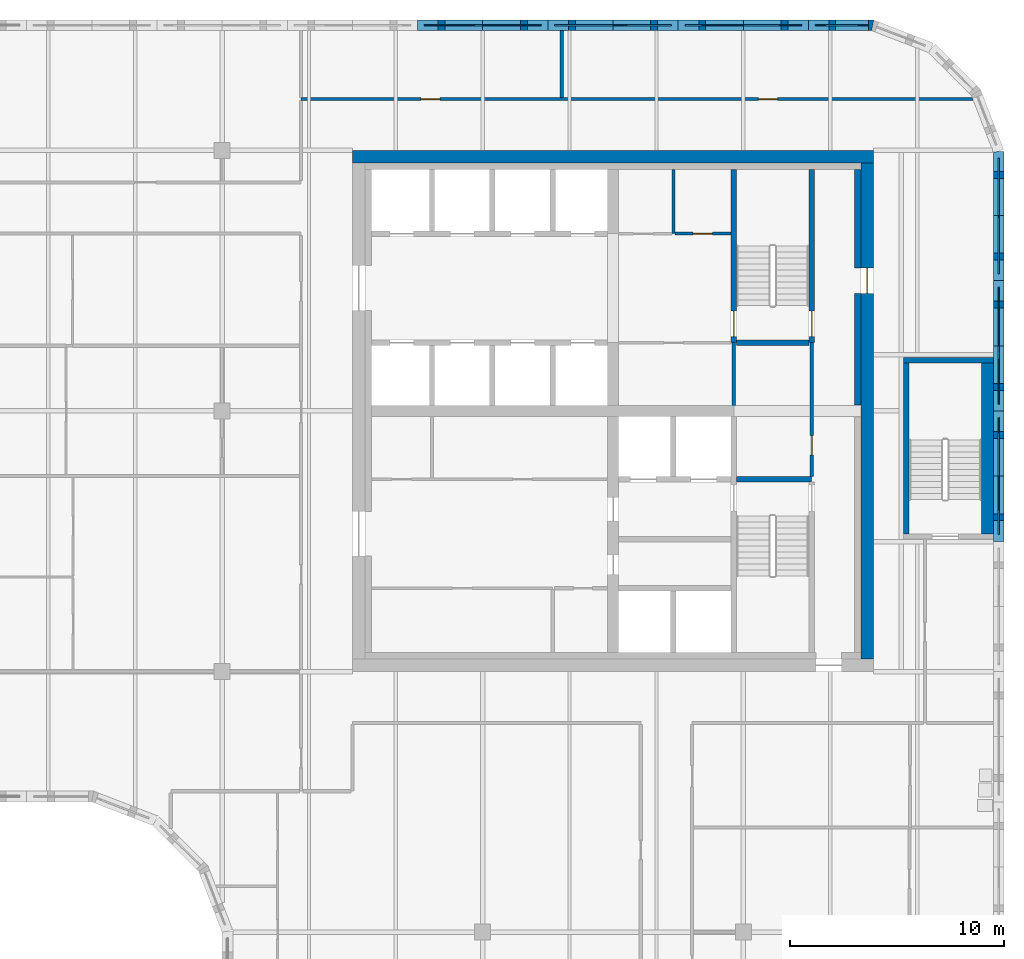
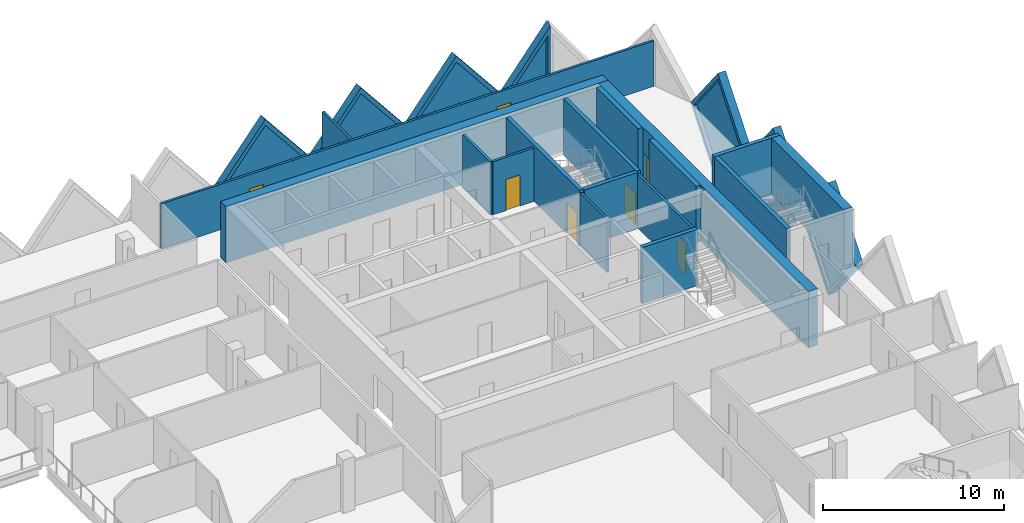
# One storey, part 9 of 12: 24 walls, 7 doors, 7 plates, 14 openings.
"""IFC4 building model written with IfcOpenShell, lengths in metres."""

from ifc_helpers import new_model, si_unit, direction, frame, frame_2d, origin, place, context, subcontext, project, spatial, polyline, rectangle, outline, extrude, faceted_brep, source, transform, mapped, material, layer, layer_set, type_object, element, fill, save


model = new_model("IFC4")

# Units and contexts
model_context = context("Model", 3, precision=1e-05, world=origin(), true_north=direction((0.0, 1.0)))
body_context = subcontext(model_context, "Body", "Model", "MODEL_VIEW")
ifc_project = project(units=[si_unit("LENGTHUNIT", "METRE"), si_unit("AREAUNIT", "SQUARE_METRE"), si_unit("VOLUMEUNIT", "CUBIC_METRE"), si_unit("PLANEANGLEUNIT", "RADIAN"), si_unit("MASSUNIT", "GRAM", prefix="KILO")], contexts=[model_context])

# Site, building, storey
site_placement = place(None, origin())
site = spatial("IfcSite", under=ifc_project, at=site_placement, CompositionType="ELEMENT")
building_placement = place(site_placement, origin())
building = spatial("IfcBuilding", under=site, at=building_placement, Name="Tessera Gate Towers", CompositionType="ELEMENT")
storey_placement = place(building_placement, frame((0.0, 0.0, 178.199951171875)))
storey = spatial("IfcBuildingStorey", under=building, at=storey_placement, Name="L44", CompositionType="ELEMENT", Elevation=178.199951171875)

# Wall
ifc_material_1 = material(Name="Concrete C40/50", Category="concrete")
ifc_layer_1 = layer(ifc_material_1, 0.25)
ifc_layer_set_1 = layer_set([ifc_layer_1], Name="CORE ENCLOSURE WALL 250")
wall_type_1 = type_object("IfcWallType", Name="CORE ENCLOSURE WALL 250", PredefinedType="SOLIDWALL", material=ifc_layer_set_1)
wall_1_placement = place(storey_placement, frame((48.47509765625, 33.39990234375, 0.0), z_axis=(0.0, 0.0, 1.0), x_axis=(1.0, 0.0, 0.0)))
element("IfcWall", 1, at=wall_1_placement, inside=storey, type_object=wall_type_1, Name="L44 shaft and stair enclosure wall", PredefinedType="SOLIDWALL", context=body_context, shape_type="SweptSolid", body=[
    extrude(rectangle(XDim=3.52490234375, YDim=0.25, at=frame_2d((1.762451171875, 0.0))), origin(), (0.0, 0.0, 1.0), 3.800048828125),
])

# Wall, opening, door
wall_2_placement = place(storey_placement, frame((48.35009765625, 47.89990234375, 0.0), z_axis=(0.0, 0.0, 1.0), x_axis=(0.0, -1.0, 0.0)))
wall_2 = element("IfcWall", 2, at=wall_2_placement, inside=storey, type_object=wall_type_1, Name="L44 shaft and stair enclosure wall", PredefinedType="SOLIDWALL", context=body_context, shape_type="SweptSolid", body=[
    extrude(rectangle(XDim=8.099853515625, YDim=0.25, at=frame_2d((4.0498046875, 0.0))), origin(), (0.0, 0.0, 1.0), 3.800048828125),
])
shared_shape_1 = source(origin(), body_context, "Body", "SweptSolid", [
    extrude(rectangle(XDim=1.199951171875, YDim=2.10009765625, at=frame_2d((0.60009765625, 1.050048828125))), frame((0.0, 0.135009765625, 0.0), z_axis=(0.0, -1.0, 0.0), x_axis=(1.0, 0.0, 0.0)), (0.0, 0.0, 1.0), 0.27001953125),
])
opening_1_placement = place(wall_2_placement, frame((6.625, 0.0, 0.0)))
opening_1 = element("IfcOpeningElement", 3, at=opening_1_placement, cuts=wall_2, Name="Opening SD-ST2-1", PredefinedType="OPENING", context=body_context, shape_type="MappedRepresentation", body=[
    mapped(shared_shape_1, transform((0.0, 0.0, 0.0), scale=1.0)),
])
ifc_material_2 = material(Name="Hollow steel fire door", Category="steel")
door_type_1 = type_object("IfcDoorType", Name="CORE DOOR SD 1200x2100", OperationType="NOTDEFINED", PredefinedType="DOOR", material=ifc_material_2)
shared_shape_2 = source(origin(), body_context, "Body", "SweptSolid", [
    extrude(rectangle(XDim=1.199951171875, YDim=2.10009765625, at=frame_2d((0.60009765625, 1.050048828125))), frame((0.0, 0.02490234375, 0.0), z_axis=(0.0, -1.0, 0.0), x_axis=(1.0, 0.0, 0.0)), (0.0, 0.0, 1.0), 0.050048828125),
])
door_1_placement = place(opening_1_placement, origin())
door_1 = element("IfcDoor", 4, at=door_1_placement, inside=storey, type_object=door_type_1, Name="Stair door", OperationType="SINGLE_SWING_RIGHT", OverallHeight=2.10009765625, OverallWidth=1.199951171875, PredefinedType="DOOR", context=body_context, shape_type="MappedRepresentation", body=[
    mapped(shared_shape_2, transform((0.0, 0.0, 0.0), scale=1.0)),
])
fill(opening_1, door_1)

wall_3_placement = place(storey_placement, frame((52.0, 39.800048828125, 0.0), z_axis=(0.0, 0.0, 1.0), x_axis=(0.0, 1.0, 0.0)))
wall_3 = element("IfcWall", 5, at=wall_3_placement, inside=storey, type_object=wall_type_1, Name="L44 shaft and stair enclosure wall", PredefinedType="SOLIDWALL", context=body_context, shape_type="SweptSolid", body=[
    extrude(rectangle(XDim=8.099853515625, YDim=0.25, at=frame_2d((4.0498046875, 0.0))), origin(), (0.0, 0.0, 1.0), 3.800048828125),
])
opening_2_placement = place(wall_3_placement, frame((0.27490234375, 0.0, 0.0)))
opening_2 = element("IfcOpeningElement", 6, at=opening_2_placement, cuts=wall_3, Name="Opening SD-ST2-2", PredefinedType="OPENING", context=body_context, shape_type="MappedRepresentation", body=[
    mapped(shared_shape_1, transform((0.0, 0.0, 0.0), scale=1.0)),
])
door_2_placement = place(opening_2_placement, origin())
door_2 = element("IfcDoor", 7, at=door_2_placement, inside=storey, type_object=door_type_1, Name="Stair door", OperationType="SINGLE_SWING_LEFT", OverallHeight=2.10009765625, OverallWidth=1.199951171875, PredefinedType="DOOR", context=body_context, shape_type="MappedRepresentation", body=[
    mapped(shared_shape_2, transform((0.0, 0.0, 0.0), scale=1.0)),
])
fill(opening_2, door_2)

# Walls
wall_4_placement = place(storey_placement, frame((48.47509765625, 39.800048828125, 0.0), z_axis=(0.0, 0.0, 1.0), x_axis=(1.0, 0.0, 0.0)))
element("IfcWall", 8, at=wall_4_placement, inside=storey, type_object=wall_type_1, Name="L44 shaft and stair enclosure wall", PredefinedType="SOLIDWALL", context=body_context, shape_type="SweptSolid", body=[
    extrude(rectangle(XDim=3.39990234375, YDim=0.25, at=frame_2d((1.699951171875, 0.0))), origin(), (0.0, 0.0, 1.0), 3.800048828125),
])
wall_5_placement = place(storey_placement, frame((56.425048828125, 30.85009765625, 0.0), z_axis=(0.0, 0.0, 1.0), x_axis=(0.0, 1.0, 0.0)))
element("IfcWall", 9, at=wall_5_placement, inside=storey, type_object=wall_type_1, Name="L44 ST5 enclosure wall", PredefinedType="SOLIDWALL", context=body_context, shape_type="SweptSolid", body=[
    extrude(rectangle(XDim=8.0, YDim=0.25, at=frame_2d((4.0, 0.0))), origin(), (0.0, 0.0, 1.0), 3.800048828125),
])
wall_6_placement = place(storey_placement, frame((56.300048828125, 38.97509765625, 0.0), z_axis=(0.0, 0.0, 1.0), x_axis=(1.0, 0.0, 0.0)))
element("IfcWall", 10, at=wall_6_placement, inside=storey, type_object=wall_type_1, Name="L44 ST5 enclosure wall", PredefinedType="SOLIDWALL", context=body_context, shape_type="SweptSolid", body=[
    extrude(rectangle(XDim=4.199951171875, YDim=0.25, at=frame_2d((2.10009765625, 0.0))), origin(), (0.0, 0.0, 1.0), 3.800048828125),
])
ifc_material_3 = material(Name="Concrete C40/50", Category="concrete")
ifc_layer_2 = layer(ifc_material_3, 0.550048828125)
ifc_layer_set_2 = layer_set([ifc_layer_2], Name="CORE ENCLOSURE WALL 550")
wall_type_2 = type_object("IfcWallType", Name="CORE ENCLOSURE WALL 550", PredefinedType="SOLIDWALL", material=ifc_layer_set_2)
wall_7_placement = place(storey_placement, frame((60.22509765625, 38.85009765625, 0.0), z_axis=(0.0, 0.0, 1.0), x_axis=(0.0, -1.0, 0.0)))
element("IfcWall", 11, at=wall_7_placement, inside=storey, type_object=wall_type_2, Name="L44 ST5 enclosure wall", PredefinedType="SOLIDWALL", context=body_context, shape_type="SweptSolid", body=[
    extrude(rectangle(XDim=8.0, YDim=0.550048828125, at=frame_2d((4.0, 0.0))), origin(), (0.0, 0.0, 1.0), 3.800048828125),
])
ifc_material_4 = material(Name="Concrete C50/60", Category="concrete")
ifc_layer_3 = layer(ifc_material_4, 0.60009765625)
ifc_layer_set_3 = layer_set([ifc_layer_3], Name="CORE SHEAR WALL 600 C50/60")
wall_type_3 = type_object("IfcWallType", Name="CORE SHEAR WALL 600 C50/60", PredefinedType="SHEAR", material=ifc_layer_set_3)
wall_8_placement = place(storey_placement, frame((30.5, 48.5, 0.0), z_axis=(0.0, 0.0, 1.0), x_axis=(1.0, 0.0, 0.0)))
element("IfcWall", 12, at=wall_8_placement, inside=storey, type_object=wall_type_3, Name="Core wall N L44", PredefinedType="SHEAR", context=body_context, shape_type="SweptSolid", body=[
    extrude(rectangle(XDim=24.39990234375, YDim=0.60009765625, at=frame_2d((12.199951171875, 0.0))), origin(), (0.0, 0.0, 1.0), 3.800048828125),
])

# Wall, opening, door
wall_9_placement = place(storey_placement, frame((54.60009765625, 48.199951171875, 0.0), z_axis=(0.0, 0.0, 1.0), x_axis=(0.0, -1.0, 0.0)))
wall_9 = element("IfcWall", 13, at=wall_9_placement, inside=storey, type_object=wall_type_3, Name="Core wall E L44", PredefinedType="SHEAR", context=body_context, shape_type="SweptSolid", body=[
    extrude(rectangle(XDim=23.199951171875, YDim=0.60009765625, at=frame_2d((11.60009765625, 0.0))), origin(), (0.0, 0.0, 1.0), 3.800048828125),
])
shared_shape_3 = source(origin(), body_context, "Body", "SweptSolid", [
    extrude(rectangle(XDim=1.199951171875, YDim=2.10009765625, at=frame_2d((0.60009765625, 1.050048828125))), frame((0.0, 0.31005859375, 0.0), z_axis=(0.0, -1.0, 0.0), x_axis=(1.0, 0.0, 0.0)), (0.0, 0.0, 1.0), 0.6201171875),
])
opening_3_placement = place(wall_9_placement, frame((4.89990234375, 0.0, 0.0)))
opening_3 = element("IfcOpeningElement", 14, at=opening_3_placement, cuts=wall_9, Name="Opening ED-T1-28-04", PredefinedType="OPENING", context=body_context, shape_type="MappedRepresentation", body=[
    mapped(shared_shape_3, transform((0.0, 0.0, 0.0), scale=1.0)),
])
ifc_material_5 = material(Name="Hollow steel fire door", Category="steel")
door_type_2 = type_object("IfcDoorType", Name="CORE DOOR ED 1200x2100", OperationType="NOTDEFINED", PredefinedType="DOOR", material=ifc_material_5)
door_3_placement = place(opening_3_placement, origin())
door_3 = element("IfcDoor", 15, at=door_3_placement, inside=storey, type_object=door_type_2, Name="Core exit door", OperationType="SINGLE_SWING_LEFT", OverallHeight=2.10009765625, OverallWidth=1.199951171875, PredefinedType="DOOR", context=body_context, shape_type="MappedRepresentation", body=[
    mapped(shared_shape_2, transform((0.0, 0.0, 0.0), scale=1.0)),
])
fill(opening_3, door_3)

# Walls
ifc_material_6 = material(Name="Concrete C50/60", Category="concrete")
ifc_layer_4 = layer(ifc_material_6, 0.300048828125)
ifc_layer_set_4 = layer_set([ifc_layer_4], Name="CORE WALL THICKENING 300")
wall_type_4 = type_object("IfcWallType", Name="CORE WALL THICKENING 300", PredefinedType="SOLIDWALL", material=ifc_layer_set_4)
wall_10_placement = place(storey_placement, frame((54.14990234375, 36.8798828125, 0.0), z_axis=(0.0, 0.0, 1.0), x_axis=(0.0, 1.0, 0.0)))
element("IfcWall", 16, at=wall_10_placement, inside=storey, type_object=wall_type_4, Name="Core wall thickening E L44", PredefinedType="SOLIDWALL", context=body_context, shape_type="SweptSolid", body=[
    extrude(rectangle(XDim=5.22021484375, YDim=0.300048828125, at=frame_2d((2.610107421875, 0.0))), origin(), (0.0, 0.0, 1.0), 3.800048828125),
])
wall_11_placement = place(storey_placement, frame((54.14990234375, 43.300048828125, 0.0), z_axis=(0.0, 0.0, 1.0), x_axis=(0.0, 1.0, 0.0)))
element("IfcWall", 17, at=wall_11_placement, inside=storey, type_object=wall_type_4, Name="Core wall thickening E L44", PredefinedType="SOLIDWALL", context=body_context, shape_type="SweptSolid", body=[
    extrude(rectangle(XDim=4.599853515625, YDim=0.300048828125, at=frame_2d((2.2998046875, 0.0))), origin(), (0.0, 0.0, 1.0), 3.800048828125),
])

# Wall, openings, doors
ifc_material_7 = material(Name="Gypsum board on steel studs, mineral wool", Category="steel")
ifc_layer_5 = layer(ifc_material_7, 0.14990234375)
ifc_layer_set_5 = layer_set([ifc_layer_5], Name="CORRIDOR WALL 150")
wall_type_5 = type_object("IfcWallType", Name="CORRIDOR WALL 150", PredefinedType="PARTITIONING", material=ifc_layer_set_5)
wall_12_placement = place(storey_placement, frame((28.10009765625, 51.199951171875, 0.0), z_axis=(0.0, 0.0, 1.0), x_axis=(1.0, 0.0, 0.0)))
wall_12 = element("IfcWall", 18, at=wall_12_placement, inside=storey, type_object=wall_type_5, Name="T1-L44-PW-049", PredefinedType="PARTITIONING", context=body_context, shape_type="SweptSolid", body=[
    extrude(rectangle(XDim=31.438232421875, YDim=0.14990234375, at=frame_2d((15.71923828125, 0.0))), origin(), (0.0, 0.0, 1.0), 3.067138671875),
])
shared_shape_4 = source(origin(), body_context, "Body", "SweptSolid", [
    extrude(rectangle(XDim=0.89990234375, YDim=2.10009765625, at=frame_2d((0.449951171875, 1.050048828125))), frame((0.0, 0.0849609375, 0.0), z_axis=(0.0, -1.0, 0.0), x_axis=(1.0, 0.0, 0.0)), (0.0, 0.0, 1.0), 0.169921875),
])
opening_4_placement = place(wall_12_placement, frame((5.60009765625, 0.0, 0.0)))
opening_4 = element("IfcOpeningElement", 19, at=opening_4_placement, cuts=wall_12, Name="Opening D890FD60-A16-07", PredefinedType="OPENING", context=body_context, shape_type="MappedRepresentation", body=[
    mapped(shared_shape_4, transform((0.0, 0.0, 0.0), scale=1.0)),
])
opening_5_placement = place(wall_12_placement, frame((21.39990234375, 0.0, 0.0)))
opening_5 = element("IfcOpeningElement", 20, at=opening_5_placement, cuts=wall_12, Name="Opening D890FD60-A16-08", PredefinedType="OPENING", context=body_context, shape_type="MappedRepresentation", body=[
    mapped(shared_shape_4, transform((0.0, 0.0, 0.0), scale=1.0)),
])
ifc_material_8 = material(Name="Timber door leaf in steel frame", Category="steel")
door_type_3 = type_object("IfcDoorType", Name="CORRIDOR DOOR 900 FD60", OperationType="NOTDEFINED", PredefinedType="DOOR", material=ifc_material_8)
shared_shape_5 = source(origin(), body_context, "Body", "SweptSolid", [
    extrude(rectangle(XDim=0.89990234375, YDim=2.10009765625, at=frame_2d((0.449951171875, 1.050048828125))), frame((0.0, 0.02490234375, 0.0), z_axis=(0.0, -1.0, 0.0), x_axis=(1.0, 0.0, 0.0)), (0.0, 0.0, 1.0), 0.050048828125),
])
door_4_placement = place(opening_4_placement, origin())
door_4 = element("IfcDoor", 21, at=door_4_placement, inside=storey, type_object=door_type_3, Name="T1-L44-PD-024", OperationType="SINGLE_SWING_LEFT", OverallHeight=2.10009765625, OverallWidth=0.89990234375, PredefinedType="DOOR", context=body_context, shape_type="MappedRepresentation", body=[
    mapped(shared_shape_5, transform((0.0, 0.0, 0.0), scale=1.0)),
])
fill(opening_4, door_4)
door_5_placement = place(opening_5_placement, origin())
door_5 = element("IfcDoor", 22, at=door_5_placement, inside=storey, type_object=door_type_3, Name="T1-L44-PD-027", OperationType="SINGLE_SWING_LEFT", OverallHeight=2.10009765625, OverallWidth=0.89990234375, PredefinedType="DOOR", context=body_context, shape_type="MappedRepresentation", body=[
    mapped(shared_shape_5, transform((0.0, 0.0, 0.0), scale=1.0)),
])
fill(opening_5, door_5)

# Wall, opening, door
ifc_material_9 = material(Name="Gypsum board on steel studs", Category="steel")
ifc_layer_6 = layer(ifc_material_9, 0.14990234375)
ifc_layer_set_6 = layer_set([ifc_layer_6], Name="SERVICE ROOM WALL 150")
wall_type_6 = type_object("IfcWallType", Name="SERVICE ROOM WALL 150", PredefinedType="PARTITIONING", material=ifc_layer_set_6)
wall_13_placement = place(storey_placement, frame((52.0, 33.52490234375, 0.0), z_axis=(0.0, 0.0, 1.0), x_axis=(0.0, 1.0, 0.0)))
wall_13 = element("IfcWall", 23, at=wall_13_placement, inside=storey, type_object=wall_type_6, Name="L44 service room wall", PredefinedType="PARTITIONING", context=body_context, shape_type="SweptSolid", body=[
    extrude(rectangle(XDim=6.275146484375, YDim=0.14990234375, at=frame_2d((3.1376953125, 0.0))), origin(), (0.0, 0.0, 1.0), 3.60009765625),
])
opening_6_placement = place(wall_13_placement, frame((1.02490234375, 0.0, 0.0)))
opening_6 = element("IfcOpeningElement", 24, at=opening_6_placement, cuts=wall_13, Name="Opening RD-T1-28-10", PredefinedType="OPENING", context=body_context, shape_type="MappedRepresentation", body=[
    mapped(shared_shape_4, transform((0.0, 0.0, 0.0), scale=1.0)),
])
ifc_material_10 = material(Name="Hollow steel fire door", Category="steel")
door_type_4 = type_object("IfcDoorType", Name="CORE DOOR RD 900x2100", OperationType="NOTDEFINED", PredefinedType="DOOR", material=ifc_material_10)
door_6_placement = place(opening_6_placement, origin())
door_6 = element("IfcDoor", 25, at=door_6_placement, inside=storey, type_object=door_type_4, Name="Core room door", OperationType="SINGLE_SWING_LEFT", OverallHeight=2.10009765625, OverallWidth=0.89990234375, PredefinedType="DOOR", context=body_context, shape_type="MappedRepresentation", body=[
    mapped(shared_shape_5, transform((0.0, 0.0, 0.0), scale=1.0)),
])
fill(opening_6, door_6)

# Walls
wall_14_placement = place(storey_placement, frame((48.35009765625, 36.85009765625, 0.0), z_axis=(0.0, 0.0, 1.0), x_axis=(0.0, 1.0, 0.0)))
element("IfcWall", 26, at=wall_14_placement, inside=storey, type_object=wall_type_6, Name="L44 service room wall", PredefinedType="PARTITIONING", context=body_context, shape_type="SweptSolid", body=[
    extrude(rectangle(XDim=2.949951171875, YDim=0.14990234375, at=frame_2d((1.47509765625, 0.0))), origin(), (0.0, 0.0, 1.0), 3.60009765625),
])
wall_15_placement = place(storey_placement, frame((45.52490234375, 44.89990234375, 0.0), z_axis=(0.0, 0.0, 1.0), x_axis=(0.0, 1.0, 0.0)))
element("IfcWall", 27, at=wall_15_placement, inside=storey, type_object=wall_type_6, Name="L44 service room wall", PredefinedType="PARTITIONING", context=body_context, shape_type="SweptSolid", body=[
    extrude(rectangle(XDim=3.0, YDim=0.14990234375, at=frame_2d((1.5, 0.0))), origin(), (0.0, 0.0, 1.0), 3.60009765625),
])

# Wall, opening, door
wall_16_placement = place(storey_placement, frame((45.60009765625, 44.89990234375, 0.0), z_axis=(0.0, 0.0, 1.0), x_axis=(1.0, 0.0, 0.0)))
wall_16 = element("IfcWall", 28, at=wall_16_placement, inside=storey, type_object=wall_type_6, Name="L44 service room wall", PredefinedType="PARTITIONING", context=body_context, shape_type="SweptSolid", body=[
    extrude(rectangle(XDim=2.625, YDim=0.14990234375, at=frame_2d((1.3125, 0.0))), origin(), (0.0, 0.0, 1.0), 3.60009765625),
])
opening_7_placement = place(wall_16_placement, frame((0.85009765625, 0.0, 0.0)))
opening_7 = element("IfcOpeningElement", 29, at=opening_7_placement, cuts=wall_16, Name="Opening RD-T1-28-13", PredefinedType="OPENING", context=body_context, shape_type="MappedRepresentation", body=[
    mapped(shared_shape_4, transform((0.0, 0.0, 0.0), scale=1.0)),
])
door_7_placement = place(opening_7_placement, origin())
door_7 = element("IfcDoor", 30, at=door_7_placement, inside=storey, type_object=door_type_4, Name="Core room door", OperationType="SINGLE_SWING_LEFT", OverallHeight=2.10009765625, OverallWidth=0.89990234375, PredefinedType="DOOR", context=body_context, shape_type="MappedRepresentation", body=[
    mapped(shared_shape_5, transform((0.0, 0.0, 0.0), scale=1.0)),
])
fill(opening_7, door_7)

# Wall
ifc_material_11 = material(Name="Gypsum board on steel studs, mineral wool", Category="steel")
ifc_layer_7 = layer(ifc_material_11, 0.14990234375)
ifc_layer_set_7 = layer_set([ifc_layer_7], Name="TENANCY WALL 150")
wall_type_7 = type_object("IfcWallType", Name="TENANCY WALL 150", PredefinedType="PARTITIONING", material=ifc_layer_set_7)
wall_17_placement = place(storey_placement, frame((40.300048828125, 51.27587890625, 0.0), z_axis=(0.0, 0.0, 1.0), x_axis=(0.0, 1.0, 0.0)))
element("IfcWall", 31, at=wall_17_placement, inside=storey, type_object=wall_type_7, Name="T1-L44-PW-051", PredefinedType="PARTITIONING", context=body_context, shape_type="SweptSolid", body=[
    extrude(rectangle(XDim=3.1240234375, YDim=0.14990234375, at=frame_2d((1.56201171875, 0.0))), origin(), (0.0, 0.0, 1.0), 3.067138671875),
])

# Wall, opening, plate
ifc_material_12 = material(Name="Precast concrete C60/75 white", Category="concrete")
ifc_layer_8 = layer(ifc_material_12, 0.5)
ifc_layer_set_8 = layer_set([ifc_layer_8], Name="TS1 tessera")
wall_type_8 = type_object("IfcWallType", Name="TS1 tessera", PredefinedType="SOLIDWALL", material=ifc_layer_set_8)
shared_shape_6 = source(origin(), body_context, "Body", "Brep", [
    faceted_brep([(3.050048828125, -0.25, 0.0), (6.099853515625, -0.25, 3.7998046875), (6.099853515625, -0.25, 3.80029296875), (3.050048828125, -0.25, 7.60009765625), (0.0, -0.25, 3.800048828125), (0.0, 0.25, 3.800048828125), (3.050048828125, 0.25, 7.60009765625), (6.099853515625, 0.25, 3.80029296875), (6.099853515625, 0.25, 3.7998046875), (3.050048828125, 0.25, 0.0)], [[[0, 1, 2, 3, 4]], [[5, 6, 7, 8, 9]], [[9, 8, 1, 0]], [[7, 6, 3, 2]], [[6, 5, 4, 3]], [[5, 9, 0, 4]], [[1, 8, 7, 2]]]),
])
wall_18_placement = place(storey_placement, frame((60.75, 36.60009765625, -3.800048828125), z_axis=(0.0, 0.0, 1.0), x_axis=(0.0, 1.0, 0.0)))
wall_18 = element("IfcWall", 32, at=wall_18_placement, inside=storey, type_object=wall_type_8, Name="Precast tessera T1 TS1-0767", PredefinedType="SOLIDWALL", context=body_context, shape_type="MappedRepresentation", body=[
    mapped(shared_shape_6, transform((0.0, 0.0, 0.0), scale=1.0)),
])
shared_shape_7 = source(origin(), body_context, "Body", "SweptSolid", [
    extrude(outline(polyline([(3.050048828125, 0.3994140625), (5.779541015625, 3.800048828125), (3.050048828125, 7.20068359375), (0.320556640625, 3.800048828125), (3.050048828125, 0.3994140625)])), frame((0.0, 0.260009765625, 0.0), z_axis=(0.0, -1.0, 0.0), x_axis=(1.0, 0.0, 0.0)), (0.0, 0.0, 1.0), 0.52001953125),
])
opening_8_placement = place(wall_18_placement, origin())
opening_8 = element("IfcOpeningElement", 33, at=opening_8_placement, cuts=wall_18, Name="Opening T1-PL2-1565", PredefinedType="OPENING", context=body_context, shape_type="MappedRepresentation", body=[
    mapped(shared_shape_7, transform((0.0, 0.0, 0.0), scale=1.0)),
])
ifc_material_13 = material(Name="Low-e laminated glass", Category="glass")
ifc_layer_9 = layer(ifc_material_13, 0.06005859375)
ifc_layer_set_9 = layer_set([ifc_layer_9], Name="PL2 rhombic pane")
plate_type = type_object("IfcPlateType", Name="PL2 rhombic pane", PredefinedType="SHEET", material=ifc_layer_set_9)
shared_shape_8 = source(origin(), body_context, "Body", "SweptSolid", [
    extrude(outline(polyline([(3.050048828125, 0.3994140625), (5.779541015625, 3.800048828125), (3.050048828125, 7.20068359375), (0.320556640625, 3.800048828125), (3.050048828125, 0.3994140625)])), frame((0.0, 0.030029296875, 0.0), z_axis=(0.0, -1.0, 0.0), x_axis=(1.0, 0.0, 0.0)), (0.0, 0.0, 1.0), 0.06005859375),
])
plate_1_placement = place(opening_8_placement, origin())
plate_1 = element("IfcPlate", 34, at=plate_1_placement, inside=storey, type_object=plate_type, Name="Glass pane T1 PL2-1565", PredefinedType="SHEET", context=body_context, shape_type="MappedRepresentation", body=[
    mapped(shared_shape_8, transform((0.0, 0.0, 0.0), scale=1.0)),
])
fill(opening_8, plate_1)

wall_19_placement = place(storey_placement, frame((39.64990234375, 54.64990234375, -3.800048828125), z_axis=(0.0, 0.0, 1.0), x_axis=(-1.0, 0.0, 0.0)))
wall_19 = element("IfcWall", 35, at=wall_19_placement, inside=storey, type_object=wall_type_8, Name="Precast tessera T1 TS1-0771", PredefinedType="SOLIDWALL", context=body_context, shape_type="MappedRepresentation", body=[
    mapped(shared_shape_6, transform((0.0, 0.0, 0.0), scale=1.0)),
])
opening_9_placement = place(wall_19_placement, origin())
opening_9 = element("IfcOpeningElement", 36, at=opening_9_placement, cuts=wall_19, Name="Opening T1-PL2-1573", PredefinedType="OPENING", context=body_context, shape_type="MappedRepresentation", body=[
    mapped(shared_shape_7, transform((0.0, 0.0, 0.0), scale=1.0)),
])
plate_2_placement = place(opening_9_placement, origin())
plate_2 = element("IfcPlate", 37, at=plate_2_placement, inside=storey, type_object=plate_type, Name="Glass pane T1 PL2-1573", PredefinedType="SHEET", context=body_context, shape_type="MappedRepresentation", body=[
    mapped(shared_shape_8, transform((0.0, 0.0, 0.0), scale=1.0)),
])
fill(opening_9, plate_2)

shared_shape_9 = source(origin(), body_context, "Body", "SweptSolid", [
    extrude(outline(polyline([(3.050048828125, 0.0), (6.10009765625, 3.800048828125), (3.050048828125, 7.60009765625), (0.0, 3.800048828125), (3.050048828125, 0.0)])), frame((0.0, 0.25, 0.0), z_axis=(0.0, -1.0, 0.0), x_axis=(1.0, 0.0, 0.0)), (0.0, 0.0, 1.0), 0.5),
])
wall_20_placement = place(storey_placement, frame((60.75, 30.5, -3.800048828125), z_axis=(0.0, 0.0, 1.0), x_axis=(0.0, 1.0, 0.0)))
wall_20 = element("IfcWall", 38, at=wall_20_placement, inside=storey, type_object=wall_type_8, Name="Precast tessera T1 TS1-0766", PredefinedType="SOLIDWALL", context=body_context, shape_type="MappedRepresentation", body=[
    mapped(shared_shape_9, transform((0.0, 0.0, 0.0), scale=1.0)),
])
opening_10_placement = place(wall_20_placement, origin())
opening_10 = element("IfcOpeningElement", 39, at=opening_10_placement, cuts=wall_20, Name="Opening T1-PL2-1564", PredefinedType="OPENING", context=body_context, shape_type="MappedRepresentation", body=[
    mapped(shared_shape_7, transform((0.0, 0.0, 0.0), scale=1.0)),
])
plate_3_placement = place(opening_10_placement, origin())
plate_3 = element("IfcPlate", 40, at=plate_3_placement, inside=storey, type_object=plate_type, Name="Glass pane T1 PL2-1564", PredefinedType="SHEET", context=body_context, shape_type="MappedRepresentation", body=[
    mapped(shared_shape_8, transform((0.0, 0.0, 0.0), scale=1.0)),
])
fill(opening_10, plate_3)

wall_21_placement = place(storey_placement, frame((51.85009765625, 54.64990234375, -3.800048828125), z_axis=(0.0, 0.0, 1.0), x_axis=(-1.0, 0.0, 0.0)))
wall_21 = element("IfcWall", 41, at=wall_21_placement, inside=storey, type_object=wall_type_8, Name="Precast tessera T1 TS1-0769", PredefinedType="SOLIDWALL", context=body_context, shape_type="MappedRepresentation", body=[
    mapped(shared_shape_9, transform((0.0, 0.0, 0.0), scale=1.0)),
])
opening_11_placement = place(wall_21_placement, origin())
opening_11 = element("IfcOpeningElement", 42, at=opening_11_placement, cuts=wall_21, Name="Opening T1-PL2-1571", PredefinedType="OPENING", context=body_context, shape_type="MappedRepresentation", body=[
    mapped(shared_shape_7, transform((0.0, 0.0, 0.0), scale=1.0)),
])
plate_4_placement = place(opening_11_placement, origin())
plate_4 = element("IfcPlate", 43, at=plate_4_placement, inside=storey, type_object=plate_type, Name="Glass pane T1 PL2-1571", PredefinedType="SHEET", context=body_context, shape_type="MappedRepresentation", body=[
    mapped(shared_shape_8, transform((0.0, 0.0, 0.0), scale=1.0)),
])
fill(opening_11, plate_4)

wall_22_placement = place(storey_placement, frame((45.75, 54.64990234375, -3.800048828125), z_axis=(0.0, 0.0, 1.0), x_axis=(-1.0, 0.0, 0.0)))
wall_22 = element("IfcWall", 44, at=wall_22_placement, inside=storey, type_object=wall_type_8, Name="Precast tessera T1 TS1-0770", PredefinedType="SOLIDWALL", context=body_context, shape_type="MappedRepresentation", body=[
    mapped(shared_shape_9, transform((0.0, 0.0, 0.0), scale=1.0)),
])
opening_12_placement = place(wall_22_placement, origin())
opening_12 = element("IfcOpeningElement", 45, at=opening_12_placement, cuts=wall_22, Name="Opening T1-PL2-1572", PredefinedType="OPENING", context=body_context, shape_type="MappedRepresentation", body=[
    mapped(shared_shape_7, transform((0.0, 0.0, 0.0), scale=1.0)),
])
plate_5_placement = place(opening_12_placement, origin())
plate_5 = element("IfcPlate", 46, at=plate_5_placement, inside=storey, type_object=plate_type, Name="Glass pane T1 PL2-1572", PredefinedType="SHEET", context=body_context, shape_type="MappedRepresentation", body=[
    mapped(shared_shape_8, transform((0.0, 0.0, 0.0), scale=1.0)),
])
fill(opening_12, plate_5)

shared_shape_10 = source(origin(), body_context, "Body", "Brep", [
    faceted_brep([(3.050048828125, -0.25, 0.0), (6.053466796875, -0.25, 3.800048828125), (3.050048828125, -0.25, 7.60009765625), (0.0, -0.25, 3.800048828125), (0.0, 0.25, 3.800048828125), (3.050048828125, 0.25, 7.60009765625), (6.0068359375, 0.25, 3.85888671875), (6.0068359375, 0.25, 3.7412109375), (3.050048828125, 0.25, 0.0), (6.053466796875, 0.0, 3.800048828125)], [[[0, 1, 2, 3]], [[4, 5, 6, 7, 8]], [[8, 7, 9, 1, 0]], [[6, 5, 2, 1, 9]], [[5, 4, 3, 2]], [[4, 8, 0, 3]], [[9, 7, 6]]]),
])
wall_23_placement = place(storey_placement, frame((60.75, 42.699951171875, -3.800048828125), z_axis=(0.0, 0.0, 1.0), x_axis=(0.0, 1.0, 0.0)))
wall_23 = element("IfcWall", 47, at=wall_23_placement, inside=storey, type_object=wall_type_8, Name="Precast tessera T1 TS1-0768", PredefinedType="SOLIDWALL", context=body_context, shape_type="MappedRepresentation", body=[
    mapped(shared_shape_10, transform((0.0, 0.0, 0.0), scale=1.0)),
])
shared_shape_11 = source(origin(), body_context, "Body", "SweptSolid", [
    extrude(outline(polyline([(3.048583984375, 0.4013671875), (5.73486328125, 3.800048828125), (3.048583984375, 7.19873046875), (0.320556640625, 3.800048828125), (3.048583984375, 0.4013671875)])), frame((0.0, 0.260009765625, 0.0), z_axis=(0.0, -1.0, 0.0), x_axis=(1.0, 0.0, 0.0)), (0.0, 0.0, 1.0), 0.52001953125),
])
opening_13_placement = place(wall_23_placement, origin())
opening_13 = element("IfcOpeningElement", 48, at=opening_13_placement, cuts=wall_23, Name="Opening T1-PL2-1566", PredefinedType="OPENING", context=body_context, shape_type="MappedRepresentation", body=[
    mapped(shared_shape_11, transform((0.0, 0.0, 0.0), scale=1.0)),
])
shared_shape_12 = source(origin(), body_context, "Body", "SweptSolid", [
    extrude(outline(polyline([(3.048583984375, 0.4013671875), (5.73486328125, 3.800048828125), (3.048583984375, 7.19873046875), (0.320556640625, 3.800048828125), (3.048583984375, 0.4013671875)])), frame((0.0, 0.030029296875, 0.0), z_axis=(0.0, -1.0, 0.0), x_axis=(1.0, 0.0, 0.0)), (0.0, 0.0, 1.0), 0.06005859375),
])
plate_6_placement = place(opening_13_placement, origin())
plate_6 = element("IfcPlate", 49, at=plate_6_placement, inside=storey, type_object=plate_type, Name="Glass pane T1 PL2-1566", PredefinedType="SHEET", context=body_context, shape_type="MappedRepresentation", body=[
    mapped(shared_shape_12, transform((0.0, 0.0, 0.0), scale=1.0)),
])
fill(opening_13, plate_6)

ifc_material_14 = material(Name="Precast concrete C60/75 white", Category="concrete")
ifc_layer_10 = layer(ifc_material_14, 0.5)
ifc_layer_set_10 = layer_set([ifc_layer_10], Name="TS3 corner tessera")
wall_type_9 = type_object("IfcWallType", Name="TS3 corner tessera", PredefinedType="SOLIDWALL", material=ifc_layer_set_10)
shared_shape_13 = source(origin(), body_context, "Body", "Brep", [
    faceted_brep([(0.046630859375, -0.25, 0.0), (3.050048828125, -0.25, 3.800048828125), (0.046630859375, -0.25, 7.60009765625), (0.0, -0.25, 7.5400390625), (0.0, -0.25, 0.06005859375), (0.09326171875, 0.25, 7.541259765625), (3.050048828125, 0.25, 3.800048828125), (0.09326171875, 0.25, 0.058837890625), (0.046630859375, 0.0, 0.0), (0.046630859375, 0.0, 7.60009765625)], [[[0, 1, 2, 3, 4]], [[5, 6, 7]], [[7, 6, 1, 0, 8]], [[6, 5, 9, 2, 1]], [[3, 2, 9]], [[8, 0, 4]], [[7, 8, 4, 3, 9, 5]]]),
])
wall_24_placement = place(storey_placement, frame((54.900146484375, 54.64990234375, -3.800048828125), z_axis=(0.0, 0.0, 1.0), x_axis=(-1.0, 0.0, 0.0)))
wall_24 = element("IfcWall", 50, at=wall_24_placement, inside=storey, type_object=wall_type_9, Name="Precast corner tessera T1 TS3-1018", PredefinedType="SOLIDWALL", context=body_context, shape_type="MappedRepresentation", body=[
    mapped(shared_shape_13, transform((0.0, 0.0, 0.0), scale=1.0)),
])
shared_shape_14 = source(origin(), body_context, "Body", "SweptSolid", [
    extrude(outline(polyline([(0.24658203125, 0.65625), (2.7314453125, 3.800048828125), (0.24658203125, 6.94384765625), (0.24658203125, 0.65625)])), frame((0.0, 0.260009765625, 0.0), z_axis=(0.0, -1.0, 0.0), x_axis=(1.0, 0.0, 0.0)), (0.0, 0.0, 1.0), 0.52001953125),
])
opening_14_placement = place(wall_24_placement, origin())
opening_14 = element("IfcOpeningElement", 51, at=opening_14_placement, cuts=wall_24, Name="Opening T1-PL2-1570", PredefinedType="OPENING", context=body_context, shape_type="MappedRepresentation", body=[
    mapped(shared_shape_14, transform((0.0, 0.0, 0.0), scale=1.0)),
])
shared_shape_15 = source(origin(), body_context, "Body", "SweptSolid", [
    extrude(outline(polyline([(0.24658203125, 0.65625), (2.7314453125, 3.800048828125), (0.24658203125, 6.94384765625), (0.24658203125, 0.65625)])), frame((0.0, 0.030029296875, 0.0), z_axis=(0.0, -1.0, 0.0), x_axis=(1.0, 0.0, 0.0)), (0.0, 0.0, 1.0), 0.06005859375),
])
plate_7_placement = place(opening_14_placement, origin())
plate_7 = element("IfcPlate", 52, at=plate_7_placement, inside=storey, type_object=plate_type, Name="Glass pane T1 PL2-1570", PredefinedType="SHEET", context=body_context, shape_type="MappedRepresentation", body=[
    mapped(shared_shape_15, transform((0.0, 0.0, 0.0), scale=1.0)),
])
fill(opening_14, plate_7)

save(model, "model.ifc")
